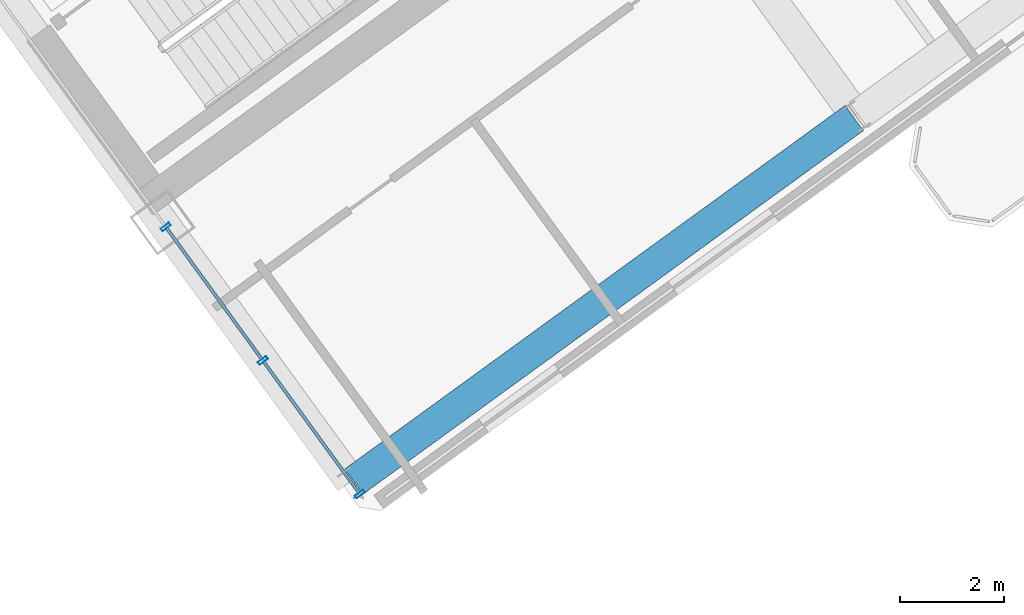
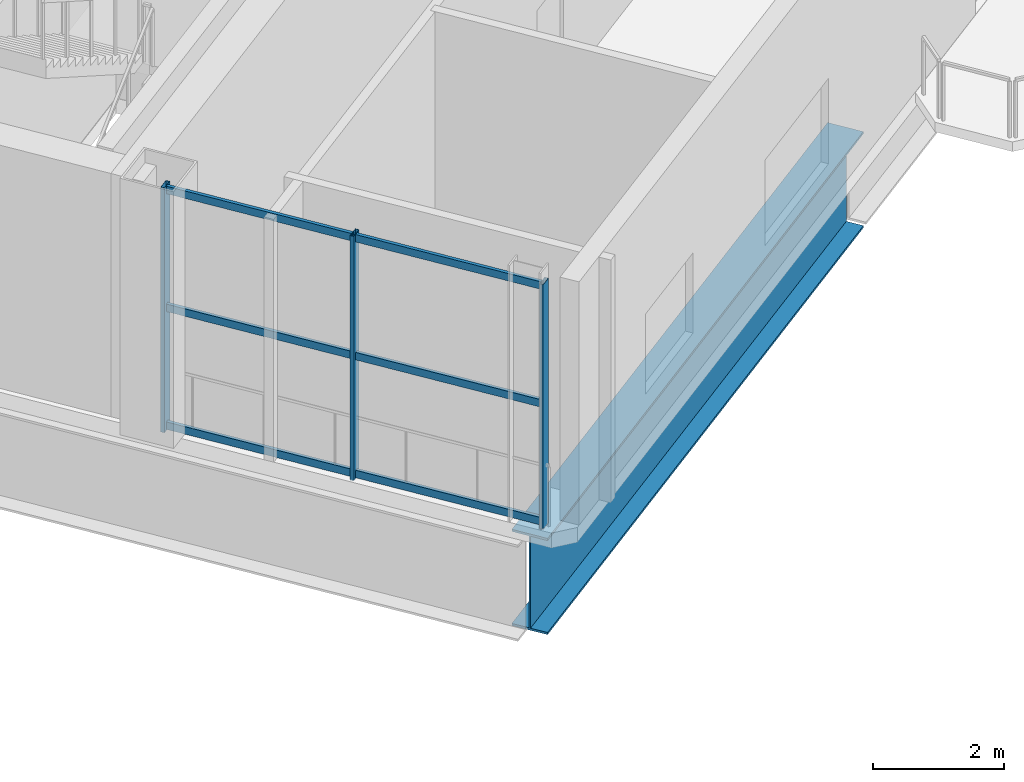
# One storey, part 8 of 22: 9 members, 1 beam, 1 element without a shape of its own.
"""IFC4 building model written with IfcOpenShell, lengths in metres."""

from ifc_helpers import new_model, si_unit, direction, frame, origin, origin_2d, place, context, subcontext, project, spatial, hollow_rectangle, i_section, extrude, source, transform, mapped, material, material_profile, profile_set, type_object, element, aggregate, save


model = new_model("IFC4")

# Units and contexts
model_context = context("Model", 3, precision=1e-05, world=origin(), true_north=direction((0.0, 1.0)))
body_context = subcontext(model_context, "Body", "Model", "MODEL_VIEW")
ifc_project = project(units=[si_unit("LENGTHUNIT", "METRE"), si_unit("AREAUNIT", "SQUARE_METRE"), si_unit("VOLUMEUNIT", "CUBIC_METRE"), si_unit("PLANEANGLEUNIT", "RADIAN"), si_unit("MASSUNIT", "GRAM", prefix="KILO")], contexts=[model_context])

# Site, building, storey
site_placement = place(None, origin())
site = spatial("IfcSite", under=ifc_project, at=site_placement, CompositionType="ELEMENT")
building_placement = place(site_placement, origin())
building = spatial("IfcBuilding", under=site, at=building_placement, Name="Tlacorven Tower", CompositionType="ELEMENT")
storey_placement = place(building_placement, frame((0.0, 0.0, 127.800048828125)))
storey = spatial("IfcBuildingStorey", under=building, at=storey_placement, Name="L32", CompositionType="ELEMENT", Elevation=127.800048828125)

# Beam
ifc_material_1 = material(Name="Steel S460M", Category="steel")
ifc_material_profile_1 = material_profile(ifc_material_1, i_section(OverallWidth=0.60009765625, OverallDepth=1.800048828125, WebThickness=0.028076171875, FlangeThickness=0.0400390625, at=origin_2d()), Name="PG 1800X600X28X40")
ifc_profile_set_1 = profile_set([ifc_material_profile_1], Name="Steel S460M")
beam_type = type_object("IfcBeamType", Name="BM-TRG-1800", PredefinedType="USERDEFINED", material=ifc_profile_set_1)
shared_shape_1 = source(origin(), body_context, "Body", "SweptSolid", [
    extrude(i_section(OverallWidth=0.60009765625, OverallDepth=1.800048828125, WebThickness=0.028076171875, FlangeThickness=0.0400390625, at=origin_2d()), origin(), (0.0, 0.0, 1.0), 11.89990234375),
])
beam_placement = place(storey_placement, frame((56.39013671875, 7.786865234375, -1.179931640625), z_axis=(0.809014570063, 0.587788589057, 0.0), x_axis=(-0.587788589057, 0.809014570063, 0.0)))
element("IfcBeam", 1, at=beam_placement, inside=storey, type_object=beam_type, Name="L32 beam BM-L32-EL1-1", ObjectType="TRANSFER GIRDER", PredefinedType="USERDEFINED", context=body_context, shape_type="MappedRepresentation", body=[
    mapped(shared_shape_1, transform((0.0, 0.0, 0.0), scale=1.0)),
])

# Curtain wall, members
ifc_material_2 = material(Name="Dark solar low-E double glazing in aluminium frame", Category="aluminium")
curtain_wall_type = type_object("IfcCurtainWallType", Name="CW-TWR-MID", PredefinedType="USERDEFINED", material=ifc_material_2)
curtain_wall_placement = place(storey_placement, origin())
curtain_wall = element("IfcCurtainWall", 2, at=curtain_wall_placement, inside=storey, type_object=curtain_wall_type, Name="L32 CW-TWR-MID Curtain Wall 156", ObjectType="UNITISED CURTAIN WALL", PredefinedType="USERDEFINED")
ifc_material_3 = material(Name="Aluminium 6063-T6 anodised", Category="aluminium")
ifc_material_profile_2 = material_profile(ifc_material_3, hollow_rectangle(XDim=0.06494140625, YDim=0.199951171875, WallThickness=0.00439453125, at=origin_2d()), Name="ALU MULLION 65X200")
ifc_profile_set_2 = profile_set([ifc_material_profile_2], Name="Aluminium 6063-T6 anodised")
member_type_1 = type_object("IfcMemberType", Name="CWM-02", PredefinedType="MULLION", material=ifc_profile_set_2)
shared_shape_2 = source(origin(), body_context, "Body", "SweptSolid", [
    extrude(hollow_rectangle(XDim=0.06494140625, YDim=0.199951171875, WallThickness=0.00439453125, at=origin_2d()), origin(), (0.0, 0.0, 1.0), 4.580078125),
])
member_1_placement = place(storey_placement, frame((56.503173828125, 7.546142578125, -0.02001953125), z_axis=(0.0, 0.0, 1.0), x_axis=(-0.587785363163, 0.809016913823, 0.0)))
member_1 = element("IfcMember", 3, at=member_1_placement, type_object=member_type_1, Name="CW-L32-156 Mullion 1", PredefinedType="MULLION", context=body_context, shape_type="MappedRepresentation", body=[
    mapped(shared_shape_2, transform((0.0, 0.0, 0.0), scale=1.0)),
])
member_2_placement = place(storey_placement, frame((54.635986328125, 10.1162109375, -0.02001953125), z_axis=(0.0, 0.0, 1.0), x_axis=(-0.587785363163, 0.809016913823, 0.0)))
member_2 = element("IfcMember", 4, at=member_2_placement, type_object=member_type_1, Name="CW-L32-156 Mullion 2", PredefinedType="MULLION", context=body_context, shape_type="MappedRepresentation", body=[
    mapped(shared_shape_2, transform((0.0, 0.0, 0.0), scale=1.0)),
])
member_3_placement = place(storey_placement, frame((52.7685546875, 12.6865234375, -0.02001953125), z_axis=(0.0, 0.0, 1.0), x_axis=(-0.587785363163, 0.809016913823, 0.0)))
member_3 = element("IfcMember", 5, at=member_3_placement, type_object=member_type_1, Name="CW-L32-156 Mullion 3", PredefinedType="MULLION", context=body_context, shape_type="MappedRepresentation", body=[
    mapped(shared_shape_2, transform((0.0, 0.0, 0.0), scale=1.0)),
])
ifc_material_profile_3 = material_profile(ifc_material_3, hollow_rectangle(XDim=0.06005859375, YDim=0.139892578125, WallThickness=0.00390625, at=origin_2d()), Name="ALU TRANSOM 60X140")
ifc_profile_set_3 = profile_set([ifc_material_profile_3], Name="Aluminium 6063-T6 anodised")
member_type_2 = type_object("IfcMemberType", Name="CWT-02", PredefinedType="USERDEFINED", material=ifc_profile_set_3)
shared_shape_3 = source(origin(), body_context, "Body", "SweptSolid", [
    extrude(hollow_rectangle(XDim=0.06005859375, YDim=0.139892578125, WallThickness=0.00390625, at=origin_2d()), origin(), (0.0, 0.0, 1.0), 3.1357421875),
])
member_4_placement = place(storey_placement, frame((56.4912109375, 7.562744140625, 0.070068359375), z_axis=(-0.587810556927, 0.808998608877, 0.0), x_axis=(-0.808998608877, -0.587810556927, 0.0)))
member_4 = element("IfcMember", 6, at=member_4_placement, type_object=member_type_2, Name="CW-L32-156 Transom 1", ObjectType="TRANSOM", PredefinedType="USERDEFINED", context=body_context, shape_type="MappedRepresentation", body=[
    mapped(shared_shape_3, transform((0.0, 0.0, 0.0), scale=1.0)),
])
member_5_placement = place(storey_placement, frame((56.4912109375, 7.562744140625, 2.27490234375), z_axis=(-0.587810556927, 0.808998608877, 0.0), x_axis=(-0.808998608877, -0.587810556927, 0.0)))
member_5 = element("IfcMember", 7, at=member_5_placement, type_object=member_type_2, Name="CW-L32-156 Transom 2", ObjectType="TRANSOM", PredefinedType="USERDEFINED", context=body_context, shape_type="MappedRepresentation", body=[
    mapped(shared_shape_3, transform((0.0, 0.0, 0.0), scale=1.0)),
])
member_6_placement = place(storey_placement, frame((56.4912109375, 7.562744140625, 4.47998046875), z_axis=(-0.587810556927, 0.808998608877, 0.0), x_axis=(-0.808998608877, -0.587810556927, 0.0)))
member_6 = element("IfcMember", 8, at=member_6_placement, type_object=member_type_2, Name="CW-L32-156 Transom 3", ObjectType="TRANSOM", PredefinedType="USERDEFINED", context=body_context, shape_type="MappedRepresentation", body=[
    mapped(shared_shape_3, transform((0.0, 0.0, 0.0), scale=1.0)),
])
member_7_placement = place(storey_placement, frame((54.623779296875, 10.1328125, 0.070068359375), z_axis=(-0.587722576724, 0.809062527132, 0.0), x_axis=(-0.809062527132, -0.587722576724, 0.0)))
member_7 = element("IfcMember", 9, at=member_7_placement, type_object=member_type_2, Name="CW-L32-156 Transom 4", ObjectType="TRANSOM", PredefinedType="USERDEFINED", context=body_context, shape_type="MappedRepresentation", body=[
    mapped(shared_shape_3, transform((0.0, 0.0, 0.0), scale=1.0)),
])
member_8_placement = place(storey_placement, frame((54.623779296875, 10.1328125, 2.27490234375), z_axis=(-0.587722576724, 0.809062527132, 0.0), x_axis=(-0.809062527132, -0.587722576724, 0.0)))
member_8 = element("IfcMember", 10, at=member_8_placement, type_object=member_type_2, Name="CW-L32-156 Transom 5", ObjectType="TRANSOM", PredefinedType="USERDEFINED", context=body_context, shape_type="MappedRepresentation", body=[
    mapped(shared_shape_3, transform((0.0, 0.0, 0.0), scale=1.0)),
])
member_9_placement = place(storey_placement, frame((54.623779296875, 10.1328125, 4.47998046875), z_axis=(-0.587722576724, 0.809062527132, 0.0), x_axis=(-0.809062527132, -0.587722576724, 0.0)))
member_9 = element("IfcMember", 11, at=member_9_placement, type_object=member_type_2, Name="CW-L32-156 Transom 6", ObjectType="TRANSOM", PredefinedType="USERDEFINED", context=body_context, shape_type="MappedRepresentation", body=[
    mapped(shared_shape_3, transform((0.0, 0.0, 0.0), scale=1.0)),
])
aggregate(curtain_wall, [member_1, member_2, member_3, member_4, member_5, member_6, member_7, member_8, member_9])

save(model, "model.ifc")
